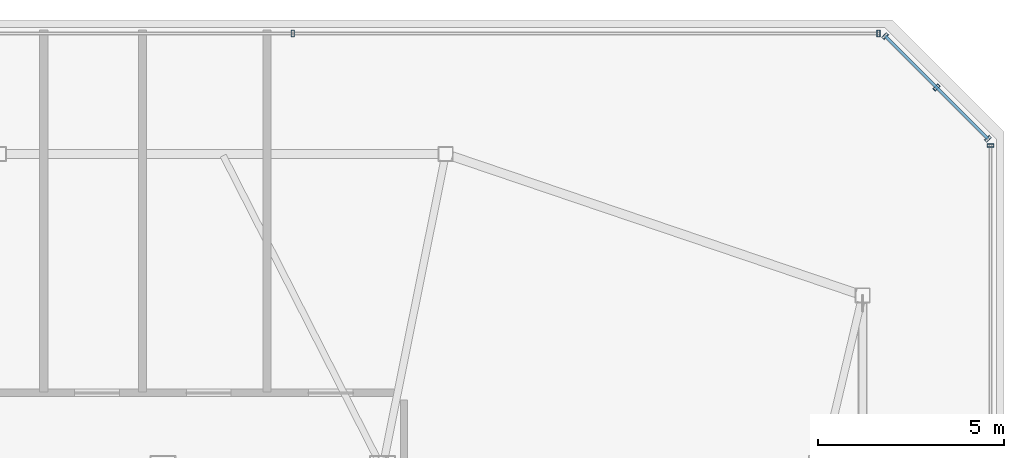
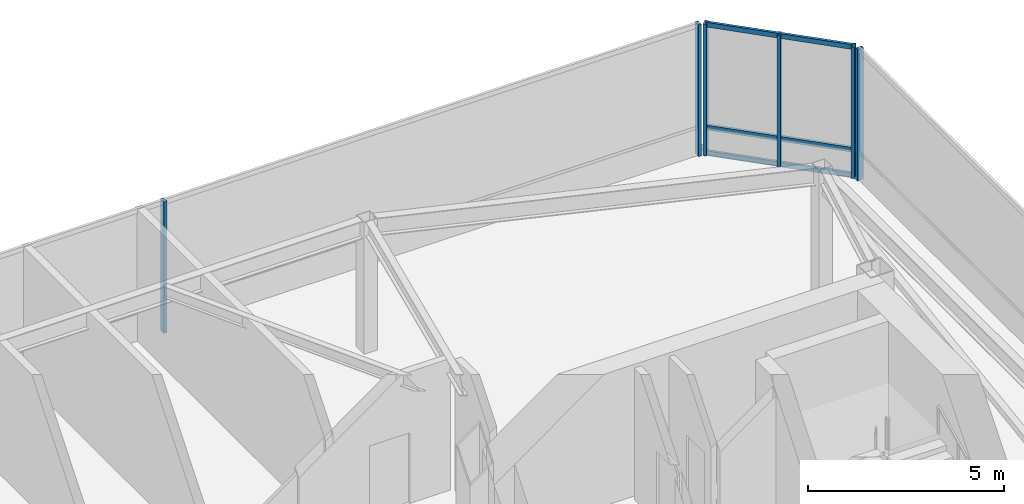
# One storey, part 16 of 22: 9 members, 3 elements without a shape of their own.
"""IFC4 building model written with IfcOpenShell, lengths in metres."""

from ifc_helpers import new_model, si_unit, direction, frame, origin, origin_2d, place, context, subcontext, project, spatial, hollow_rectangle, extrude, material, layer, layer_set, material_profile, profile_set, type_object, element, aggregate, save


model = new_model("IFC4")

# Units and contexts
model_context = context("Model", 3, precision=1e-05, world=origin(), true_north=direction((0.0, 1.0)))
body_context = subcontext(model_context, "Body", "Model", "MODEL_VIEW")
ifc_project = project(units=[si_unit("LENGTHUNIT", "METRE"), si_unit("AREAUNIT", "SQUARE_METRE"), si_unit("VOLUMEUNIT", "CUBIC_METRE"), si_unit("PLANEANGLEUNIT", "RADIAN"), si_unit("MASSUNIT", "GRAM", prefix="KILO")], contexts=[model_context])

# Site, building, storey
site_placement = place(None, origin())
site = spatial("IfcSite", under=ifc_project, at=site_placement, CompositionType="ELEMENT")
building_placement = place(site_placement, origin())
building = spatial("IfcBuilding", under=site, at=building_placement, Name="Tavrogorsk Clinical Tower", CompositionType="ELEMENT")
storey_placement = place(building_placement, frame((0.0, 0.0, 339.800048828125)))
storey = spatial("IfcBuildingStorey", under=building, at=storey_placement, Name="L79", CompositionType="ELEMENT", Elevation=339.800048828125)

# Curtain wall, members
ifc_material_1 = material(Name="Anodised aluminium and triple IGU glazing", Category="aluminium")
ifc_layer = layer(ifc_material_1, 0.179931640625)
ifc_layer_set = layer_set([ifc_layer], Name="Anodised aluminium and triple IGU glazing")
curtain_wall_type = type_object("IfcCurtainWallType", Name="CW6_TmdLantern", PredefinedType="NOTDEFINED", material=ifc_layer_set)
curtain_wall_1_placement = place(storey_placement, origin())
curtain_wall_1 = element("IfcCurtainWall", 1, at=curtain_wall_1_placement, inside=storey, type_object=curtain_wall_type, Name="L79 Curtain Wall CW-L79-DRUM-4", PredefinedType="NOTDEFINED")
ifc_material_2 = material(Name="Anodised aluminium alloy AW-6060", Category="aluminium")
ifc_material_profile_1 = material_profile(ifc_material_2, hollow_rectangle(XDim=0.090087890625, YDim=0.179931640625, WallThickness=0.00634765625, at=origin_2d()), Name="RHS-180x90x6.3")
ifc_profile_set_1 = profile_set([ifc_material_profile_1], Name="Anodised aluminium alloy AW-6060")
member_type_1 = type_object("IfcMemberType", Name="CwMullion_180x90", PredefinedType="MULLION", material=ifc_profile_set_1)
member_1_placement = place(storey_placement, frame((7.891357421875, 18.0400390625, 0.0), z_axis=(0.0, 0.0, 1.0), x_axis=(1.0, 0.0, 0.0)))
member_1 = element("IfcMember", 2, at=member_1_placement, type_object=member_type_1, Name="CW-L79-DRUM-4 Mullion 3", PredefinedType="MULLION", context=body_context, shape_type="SweptSolid", body=[
    extrude(hollow_rectangle(XDim=0.090087890625, YDim=0.179931640625, WallThickness=0.00634765625, at=origin_2d()), origin(), (0.0, 0.0, 1.0), 4.099853515625),
])
member_2_placement = place(storey_placement, frame((23.628662109375, 18.0400390625, 0.0), z_axis=(0.0, 0.0, 1.0), x_axis=(1.0, 0.0, 0.0)))
member_2 = element("IfcMember", 3, at=member_2_placement, type_object=member_type_1, Name="CW-L79-DRUM-4 Mullion 4", PredefinedType="MULLION", context=body_context, shape_type="SweptSolid", body=[
    extrude(hollow_rectangle(XDim=0.090087890625, YDim=0.179931640625, WallThickness=0.00634765625, at=origin_2d()), origin(), (0.0, 0.0, 1.0), 4.099853515625),
])
aggregate(curtain_wall_1, [member_1, member_2])

curtain_wall_2_placement = place(storey_placement, origin())
curtain_wall_2 = element("IfcCurtainWall", 4, at=curtain_wall_2_placement, inside=storey, type_object=curtain_wall_type, Name="L79 Curtain Wall CW-L79-DRUM-5", PredefinedType="NOTDEFINED")
member_3_placement = place(storey_placement, frame((23.807861328125, 17.9658203125, 0.0), z_axis=(0.0, 0.0, 1.0), x_axis=(0.707106781187, -0.707106781187, 0.0)))
member_3 = element("IfcMember", 5, at=member_3_placement, type_object=member_type_1, Name="CW-L79-DRUM-5 Mullion 1", PredefinedType="MULLION", context=body_context, shape_type="SweptSolid", body=[
    extrude(hollow_rectangle(XDim=0.090087890625, YDim=0.179931640625, WallThickness=0.00634765625, at=origin_2d()), origin(), (0.0, 0.0, 1.0), 4.099853515625),
])
member_4_placement = place(storey_placement, frame((25.186767578125, 16.5869140625, 0.0), z_axis=(0.0, 0.0, 1.0), x_axis=(0.707106781187, -0.707106781187, 0.0)))
member_4 = element("IfcMember", 6, at=member_4_placement, type_object=member_type_1, Name="CW-L79-DRUM-5 Mullion 2", PredefinedType="MULLION", context=body_context, shape_type="SweptSolid", body=[
    extrude(hollow_rectangle(XDim=0.090087890625, YDim=0.179931640625, WallThickness=0.00634765625, at=origin_2d()), origin(), (0.0, 0.0, 1.0), 4.099853515625),
])
member_5_placement = place(storey_placement, frame((26.565673828125, 15.2080078125, 0.0), z_axis=(0.0, 0.0, 1.0), x_axis=(0.707106781187, -0.707106781187, 0.0)))
member_5 = element("IfcMember", 7, at=member_5_placement, type_object=member_type_1, Name="CW-L79-DRUM-5 Mullion 3", PredefinedType="MULLION", context=body_context, shape_type="SweptSolid", body=[
    extrude(hollow_rectangle(XDim=0.090087890625, YDim=0.179931640625, WallThickness=0.00634765625, at=origin_2d()), origin(), (0.0, 0.0, 1.0), 4.099853515625),
])

# Curtain wall, member
curtain_wall_3_placement = place(storey_placement, origin())
curtain_wall_3 = element("IfcCurtainWall", 8, at=curtain_wall_3_placement, inside=storey, type_object=curtain_wall_type, Name="L79 Curtain Wall CW-L79-DRUM-6", PredefinedType="NOTDEFINED")
member_6_placement = place(storey_placement, frame((26.639892578125, 15.02880859375, 0.0), z_axis=(0.0, 0.0, 1.0), x_axis=(0.0, -1.0, 0.0)))
member_6 = element("IfcMember", 9, at=member_6_placement, type_object=member_type_1, Name="CW-L79-DRUM-6 Mullion 1", PredefinedType="MULLION", context=body_context, shape_type="SweptSolid", body=[
    extrude(hollow_rectangle(XDim=0.090087890625, YDim=0.179931640625, WallThickness=0.00634765625, at=origin_2d()), origin(), (0.0, 0.0, 1.0), 4.099853515625),
])
aggregate(curtain_wall_3, [member_6])

# Member
ifc_material_3 = material(Name="Anodised aluminium alloy AW-6060", Category="aluminium")
ifc_material_profile_2 = material_profile(ifc_material_3, hollow_rectangle(XDim=0.074951171875, YDim=0.14990234375, WallThickness=0.0048828125, at=origin_2d()), Name="RHS-150x75x5")
ifc_profile_set_2 = profile_set([ifc_material_profile_2], Name="Anodised aluminium alloy AW-6060")
member_type_2 = type_object("IfcMemberType", Name="CwTransom_150x75", PredefinedType="USERDEFINED", material=ifc_profile_set_2)
member_7_placement = place(storey_placement, frame((23.807861328125, 17.9658203125, 0.050048828125), z_axis=(0.707106781187, -0.707106781187, 0.0), x_axis=(0.707106781187, 0.707106781187, 0.0)))
member_7 = element("IfcMember", 10, at=member_7_placement, type_object=member_type_2, Name="CW-L79-DRUM-5 Transom 1", ObjectType="TRANSOM", PredefinedType="USERDEFINED", context=body_context, shape_type="SweptSolid", body=[
    extrude(hollow_rectangle(XDim=0.074951171875, YDim=0.14990234375, WallThickness=0.0048828125, at=origin_2d()), origin(), (0.0, 0.0, 1.0), 3.900146484375),
])

member_8_placement = place(storey_placement, frame((23.807861328125, 17.9658203125, 0.849853515625), z_axis=(0.707106781187, -0.707106781187, 0.0), x_axis=(0.707106781187, 0.707106781187, 0.0)))
member_8 = element("IfcMember", 11, at=member_8_placement, type_object=member_type_2, Name="CW-L79-DRUM-5 Transom 2", ObjectType="TRANSOM", PredefinedType="USERDEFINED", context=body_context, shape_type="SweptSolid", body=[
    extrude(hollow_rectangle(XDim=0.074951171875, YDim=0.14990234375, WallThickness=0.0048828125, at=origin_2d()), origin(), (0.0, 0.0, 1.0), 3.900146484375),
])

member_9_placement = place(storey_placement, frame((23.807861328125, 17.9658203125, 4.050048828125), z_axis=(0.707106781187, -0.707106781187, 0.0), x_axis=(0.707106781187, 0.707106781187, 0.0)))
member_9 = element("IfcMember", 12, at=member_9_placement, type_object=member_type_2, Name="CW-L79-DRUM-5 Transom 3", ObjectType="TRANSOM", PredefinedType="USERDEFINED", context=body_context, shape_type="SweptSolid", body=[
    extrude(hollow_rectangle(XDim=0.074951171875, YDim=0.14990234375, WallThickness=0.0048828125, at=origin_2d()), origin(), (0.0, 0.0, 1.0), 3.900146484375),
])

aggregate(curtain_wall_2, [member_3, member_4, member_5, member_7, member_8, member_9])

save(model, "model.ifc")
